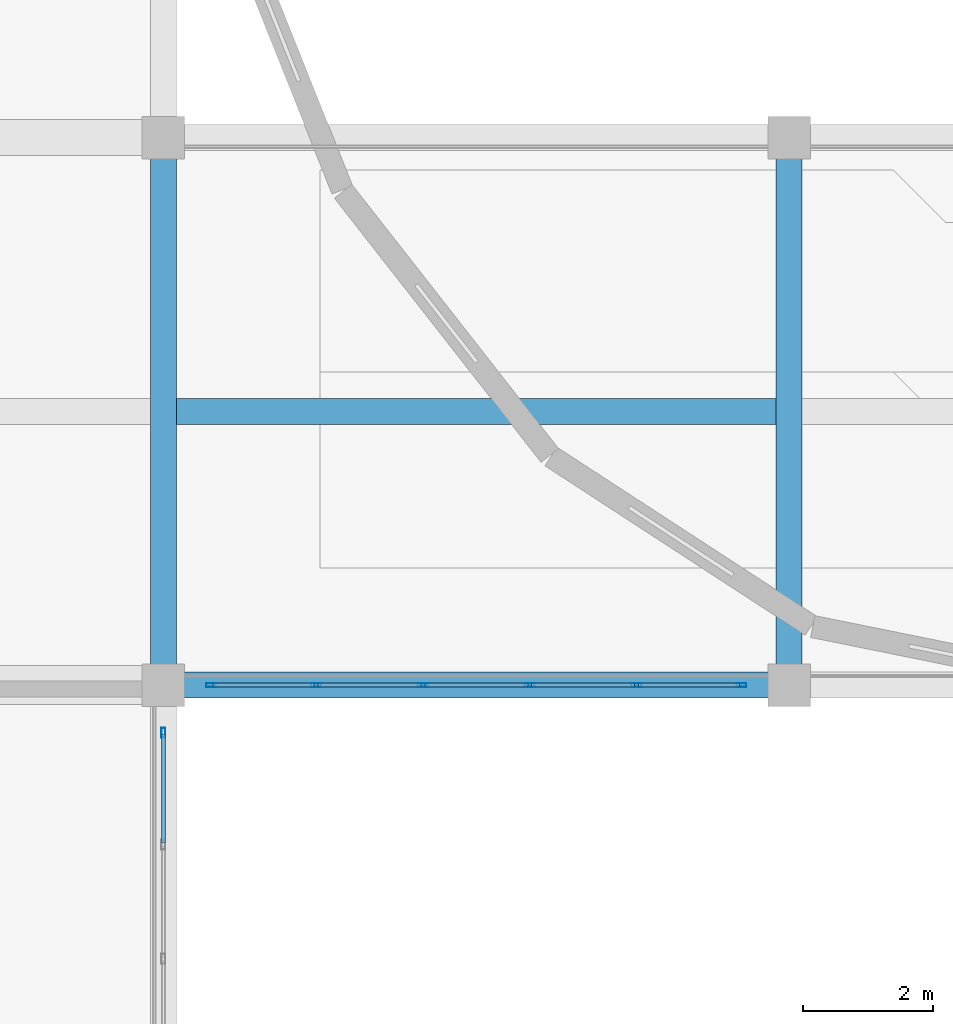
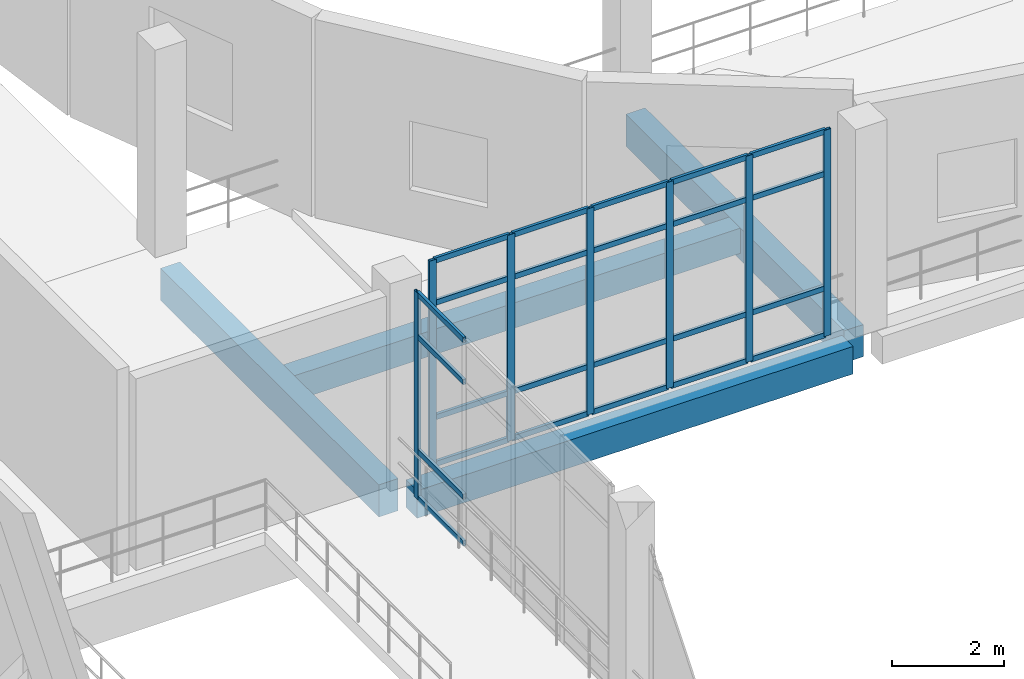
# One storey, part 34 of 88: 31 members, 4 beams, 2 elements without a shape of their own.
"""IFC4 building model written with IfcOpenShell, lengths in metres."""

from ifc_helpers import new_model, si_unit, direction, frame, origin, origin_2d, place, context, subcontext, project, spatial, rectangle, hollow_rectangle, extrude, material, layer, layer_set, material_profile, profile_set, type_object, element, aggregate, save


model = new_model("IFC4")

# Units and contexts
model_context = context("Model", 3, precision=1e-05, world=origin(), true_north=direction((0.0, 1.0)))
body_context = subcontext(model_context, "Body", "Model", "MODEL_VIEW")
ifc_project = project(units=[si_unit("LENGTHUNIT", "METRE"), si_unit("AREAUNIT", "SQUARE_METRE"), si_unit("VOLUMEUNIT", "CUBIC_METRE"), si_unit("PLANEANGLEUNIT", "RADIAN"), si_unit("MASSUNIT", "GRAM", prefix="KILO")], contexts=[model_context])

# Site, building, storey
site_placement = place(None, origin())
site = spatial("IfcSite", under=ifc_project, at=site_placement, CompositionType="ELEMENT")
building_placement = place(site_placement, origin())
building = spatial("IfcBuilding", under=site, at=building_placement, Name="Lornevale Opera House", CompositionType="ELEMENT")
storey_placement = place(building_placement, frame((0.0, 0.0, 10.199951171875)))
storey = spatial("IfcBuildingStorey", under=building, at=storey_placement, Name="L03", CompositionType="ELEMENT", Elevation=10.199951171875)

# Beams
ifc_material_1 = material(Name="Concrete 35 MPa (CSA A23.1 N)", Category="concrete")
ifc_material_profile_1 = material_profile(ifc_material_1, rectangle(XDim=0.39990234375, YDim=0.550048828125, at=origin_2d()), Name="RC400x550")
ifc_profile_set_1 = profile_set([ifc_material_profile_1], Name="Concrete 35 MPa (CSA A23.1 N)")
beam_type_1 = type_object("IfcBeamType", Name="Auditorium Tier Raker Beam 400x550", PredefinedType="JOIST", material=ifc_profile_set_1)
beam_1_placement = place(storey_placement, frame((67.39990234375, 37.800048828125, -0.554931640625), z_axis=(1.0, 0.0, 0.0), x_axis=(0.0, 1.0, 0.0)))
element("IfcBeam", 1, at=beam_1_placement, inside=storey, type_object=beam_type_1, Name="Auditorium Tier Raker Beam 400x550 2412", PredefinedType="JOIST", context=body_context, shape_type="SweptSolid", body=[
    extrude(rectangle(XDim=0.39990234375, YDim=0.550048828125, at=origin_2d()), origin(), (0.0, 0.0, 1.0), 9.2001953125),
])
ifc_material_profile_2 = material_profile(ifc_material_1, rectangle(XDim=0.39990234375, YDim=0.699951171875, at=origin_2d()), Name="RC400x700")
ifc_profile_set_2 = profile_set([ifc_material_profile_2], Name="Concrete 35 MPa (CSA A23.1 N)")
beam_type_2 = type_object("IfcBeamType", Name="Concrete Floor Beam 400x700", PredefinedType="USERDEFINED", material=ifc_profile_set_2)
for number, where, z_axis, x_axis, name in (
    (2, (67.199951171875, 33.89990234375, -0.6298828125), (0.0, 1.0, 0.0), (-1.0, 0.0, 0.0), "Concrete Floor Beam 400x700 2290"),
    (3, (76.800048828125, 33.89990234375, -0.6298828125), (0.0, 1.0, 0.0), (-1.0, 0.0, 0.0), "Concrete Floor Beam 400x700 2298"),
):
    element("IfcBeam", number, at=place(storey_placement, frame(where, z_axis=z_axis, x_axis=x_axis)), inside=storey, type_object=beam_type_2, Name=name, ObjectType="GIRDER", PredefinedType="USERDEFINED", context=body_context, shape_type="SweptSolid", body=[
        extrude(rectangle(XDim=0.39990234375, YDim=0.699951171875, at=origin_2d()), origin(), (0.0, 0.0, 1.0), 7.800048828125),
    ])
ifc_material_profile_3 = material_profile(ifc_material_1, rectangle(XDim=0.39990234375, YDim=0.60009765625, at=origin_2d()), Name="RC400x600")
ifc_profile_set_3 = profile_set([ifc_material_profile_3], Name="Concrete 35 MPa (CSA A23.1 N)")
beam_type_3 = type_object("IfcBeamType", Name="Concrete Spandrel Beam 400x600", PredefinedType="SPANDREL", material=ifc_profile_set_3)
beam_2_placement = place(storey_placement, frame((67.5, 33.60009765625, -0.579833984375), z_axis=(1.0, 0.0, 0.0), x_axis=(0.0, 1.0, 0.0)))
element("IfcBeam", 4, at=beam_2_placement, inside=storey, type_object=beam_type_3, Name="Concrete Spandrel Beam 400x600 2121", PredefinedType="SPANDREL", context=body_context, shape_type="SweptSolid", body=[
    extrude(rectangle(XDim=0.39990234375, YDim=0.60009765625, at=origin_2d()), origin(), (0.0, 0.0, 1.0), 9.0),
])

# Curtain wall, member
ifc_material_2 = material(Name="Anodized Oxide-Green Aluminium Framing", Category="aluminium")
ifc_layer = layer(ifc_material_2, 0.14990234375)
ifc_layer_set = layer_set([ifc_layer], Name="Anodized Oxide-Green Aluminium Framing")
curtain_wall_type = type_object("IfcCurtainWallType", Name="North-Light Clerestory Curtain Wall M1600", PredefinedType="NOTDEFINED", material=ifc_layer_set)
curtain_wall_1_placement = place(storey_placement, origin())
curtain_wall_1 = element("IfcCurtainWall", 5, at=curtain_wall_1_placement, inside=storey, type_object=curtain_wall_type, Name="North-Light Clerestory Curtain Wall M1600 CW-178", PredefinedType="NOTDEFINED")
ifc_material_profile_4 = material_profile(ifc_material_2, hollow_rectangle(XDim=0.06005859375, YDim=0.14990234375, WallThickness=0.00390625, at=origin_2d()), Name="ALU60x150x4")
ifc_profile_set_4 = profile_set([ifc_material_profile_4], Name="Anodized Oxide-Green Aluminium Framing")
member_type_1 = type_object("IfcMemberType", Name="Curtain Wall Mullion 60x150", PredefinedType="MULLION", material=ifc_profile_set_4)
member_1_placement = place(storey_placement, frame((67.199951171875, 32.8701171875, 0.0), z_axis=(0.0, 0.0, 1.0), x_axis=(-1.0, 0.0, 0.0)))
member_1 = element("IfcMember", 6, at=member_1_placement, type_object=member_type_1, Name="Curtain Wall Mullion 60x150 CW3710", PredefinedType="MULLION", context=body_context, shape_type="SweptSolid", body=[
    extrude(hollow_rectangle(XDim=0.06005859375, YDim=0.14990234375, WallThickness=0.00390625, at=origin_2d()), origin(), (0.0, 0.0, 1.0), 4.5),
])

# Curtain wall, members
curtain_wall_2_placement = place(storey_placement, origin())
curtain_wall_2 = element("IfcCurtainWall", 7, at=curtain_wall_2_placement, inside=storey, type_object=curtain_wall_type, Name="North-Light Clerestory Curtain Wall M1600 CW-181", PredefinedType="NOTDEFINED")
member_2_placement = place(storey_placement, frame((67.929931640625, 33.60009765625, 0.0), z_axis=(0.0, 0.0, 1.0), x_axis=(0.0, 1.0, 0.0)))
member_2 = element("IfcMember", 8, at=member_2_placement, type_object=member_type_1, Name="Curtain Wall Mullion 60x150 CW3805", PredefinedType="MULLION", context=body_context, shape_type="SweptSolid", body=[
    extrude(hollow_rectangle(XDim=0.06005859375, YDim=0.14990234375, WallThickness=0.00390625, at=origin_2d()), origin(), (0.0, 0.0, 1.0), 4.5),
])
member_3_placement = place(storey_placement, frame((69.5400390625, 33.60009765625, 0.0), z_axis=(0.0, 0.0, 1.0), x_axis=(0.0, 1.0, 0.0)))
member_3 = element("IfcMember", 9, at=member_3_placement, type_object=member_type_1, Name="Curtain Wall Mullion 60x150 CW3806", PredefinedType="MULLION", context=body_context, shape_type="SweptSolid", body=[
    extrude(hollow_rectangle(XDim=0.06005859375, YDim=0.14990234375, WallThickness=0.00390625, at=origin_2d()), origin(), (0.0, 0.0, 1.0), 4.5),
])
member_4_placement = place(storey_placement, frame((71.179931640625, 33.60009765625, 0.0), z_axis=(0.0, 0.0, 1.0), x_axis=(0.0, 1.0, 0.0)))
member_4 = element("IfcMember", 10, at=member_4_placement, type_object=member_type_1, Name="Curtain Wall Mullion 60x150 CW3807", PredefinedType="MULLION", context=body_context, shape_type="SweptSolid", body=[
    extrude(hollow_rectangle(XDim=0.06005859375, YDim=0.14990234375, WallThickness=0.00390625, at=origin_2d()), origin(), (0.0, 0.0, 1.0), 4.5),
])
member_5_placement = place(storey_placement, frame((72.820068359375, 33.60009765625, 0.0), z_axis=(0.0, 0.0, 1.0), x_axis=(0.0, 1.0, 0.0)))
member_5 = element("IfcMember", 11, at=member_5_placement, type_object=member_type_1, Name="Curtain Wall Mullion 60x150 CW3808", PredefinedType="MULLION", context=body_context, shape_type="SweptSolid", body=[
    extrude(hollow_rectangle(XDim=0.06005859375, YDim=0.14990234375, WallThickness=0.00390625, at=origin_2d()), origin(), (0.0, 0.0, 1.0), 4.5),
])
member_6_placement = place(storey_placement, frame((74.4599609375, 33.60009765625, 0.0), z_axis=(0.0, 0.0, 1.0), x_axis=(0.0, 1.0, 0.0)))
member_6 = element("IfcMember", 12, at=member_6_placement, type_object=member_type_1, Name="Curtain Wall Mullion 60x150 CW3809", PredefinedType="MULLION", context=body_context, shape_type="SweptSolid", body=[
    extrude(hollow_rectangle(XDim=0.06005859375, YDim=0.14990234375, WallThickness=0.00390625, at=origin_2d()), origin(), (0.0, 0.0, 1.0), 4.5),
])
member_7_placement = place(storey_placement, frame((76.070068359375, 33.60009765625, 0.0), z_axis=(0.0, 0.0, 1.0), x_axis=(0.0, 1.0, 0.0)))
member_7 = element("IfcMember", 13, at=member_7_placement, type_object=member_type_1, Name="Curtain Wall Mullion 60x150 CW3810", PredefinedType="MULLION", context=body_context, shape_type="SweptSolid", body=[
    extrude(hollow_rectangle(XDim=0.06005859375, YDim=0.14990234375, WallThickness=0.00390625, at=origin_2d()), origin(), (0.0, 0.0, 1.0), 4.5),
])

# Member
ifc_material_profile_5 = material_profile(ifc_material_2, hollow_rectangle(XDim=0.06005859375, YDim=0.114990234375, WallThickness=0.00390625, at=origin_2d()), Name="ALU60x115x4")
ifc_profile_set_5 = profile_set([ifc_material_profile_5], Name="Anodized Oxide-Green Aluminium Framing")
member_type_2 = type_object("IfcMemberType", Name="Curtain Wall Transom 60x115", PredefinedType="USERDEFINED", material=ifc_profile_set_5)
member_8_placement = place(storey_placement, frame((67.199951171875, 31.179931640625, 0.030029296875), z_axis=(0.0, 1.0, 0.0), x_axis=(-1.0, 0.0, 0.0)))
member_8 = element("IfcMember", 14, at=member_8_placement, type_object=member_type_2, Name="Curtain Wall Transom 60x115 CW3732", ObjectType="TRANSOM", PredefinedType="USERDEFINED", context=body_context, shape_type="SweptSolid", body=[
    extrude(hollow_rectangle(XDim=0.06005859375, YDim=0.114990234375, WallThickness=0.00390625, at=origin_2d()), origin(), (0.0, 0.0, 1.0), 1.66015625),
])

member_9_placement = place(storey_placement, frame((67.199951171875, 31.179931640625, 1.050048828125), z_axis=(0.0, 1.0, 0.0), x_axis=(-1.0, 0.0, 0.0)))
member_9 = element("IfcMember", 15, at=member_9_placement, type_object=member_type_2, Name="Curtain Wall Transom 60x115 CW3733", ObjectType="TRANSOM", PredefinedType="USERDEFINED", context=body_context, shape_type="SweptSolid", body=[
    extrude(hollow_rectangle(XDim=0.06005859375, YDim=0.114990234375, WallThickness=0.00390625, at=origin_2d()), origin(), (0.0, 0.0, 1.0), 1.66015625),
])

member_10_placement = place(storey_placement, frame((67.199951171875, 31.179931640625, 3.550048828125), z_axis=(0.0, 1.0, 0.0), x_axis=(-1.0, 0.0, 0.0)))
member_10 = element("IfcMember", 16, at=member_10_placement, type_object=member_type_2, Name="Curtain Wall Transom 60x115 CW3734", ObjectType="TRANSOM", PredefinedType="USERDEFINED", context=body_context, shape_type="SweptSolid", body=[
    extrude(hollow_rectangle(XDim=0.06005859375, YDim=0.114990234375, WallThickness=0.00390625, at=origin_2d()), origin(), (0.0, 0.0, 1.0), 1.66015625),
])

member_11_placement = place(storey_placement, frame((67.199951171875, 31.179931640625, 4.469970703125), z_axis=(0.0, 1.0, 0.0), x_axis=(-1.0, 0.0, 0.0)))
member_11 = element("IfcMember", 17, at=member_11_placement, type_object=member_type_2, Name="Curtain Wall Transom 60x115 CW3735", ObjectType="TRANSOM", PredefinedType="USERDEFINED", context=body_context, shape_type="SweptSolid", body=[
    extrude(hollow_rectangle(XDim=0.06005859375, YDim=0.114990234375, WallThickness=0.00390625, at=origin_2d()), origin(), (0.0, 0.0, 1.0), 1.66015625),
])

aggregate(curtain_wall_1, [member_1, member_8, member_9, member_10, member_11])

member_12_placement = place(storey_placement, frame((67.9599609375, 33.60009765625, 0.030029296875), z_axis=(1.0, 0.0, 0.0), x_axis=(0.0, 1.0, 0.0)))
member_12 = element("IfcMember", 18, at=member_12_placement, type_object=member_type_2, Name="Curtain Wall Transom 60x115 CW3811", ObjectType="TRANSOM", PredefinedType="USERDEFINED", context=body_context, shape_type="SweptSolid", body=[
    extrude(hollow_rectangle(XDim=0.06005859375, YDim=0.114990234375, WallThickness=0.00390625, at=origin_2d()), origin(), (0.0, 0.0, 1.0), 1.550048828125),
])

member_13_placement = place(storey_placement, frame((67.9599609375, 33.60009765625, 1.050048828125), z_axis=(1.0, 0.0, 0.0), x_axis=(0.0, 1.0, 0.0)))
member_13 = element("IfcMember", 19, at=member_13_placement, type_object=member_type_2, Name="Curtain Wall Transom 60x115 CW3812", ObjectType="TRANSOM", PredefinedType="USERDEFINED", context=body_context, shape_type="SweptSolid", body=[
    extrude(hollow_rectangle(XDim=0.06005859375, YDim=0.114990234375, WallThickness=0.00390625, at=origin_2d()), origin(), (0.0, 0.0, 1.0), 1.550048828125),
])

member_14_placement = place(storey_placement, frame((67.9599609375, 33.60009765625, 3.550048828125), z_axis=(1.0, 0.0, 0.0), x_axis=(0.0, 1.0, 0.0)))
member_14 = element("IfcMember", 20, at=member_14_placement, type_object=member_type_2, Name="Curtain Wall Transom 60x115 CW3813", ObjectType="TRANSOM", PredefinedType="USERDEFINED", context=body_context, shape_type="SweptSolid", body=[
    extrude(hollow_rectangle(XDim=0.06005859375, YDim=0.114990234375, WallThickness=0.00390625, at=origin_2d()), origin(), (0.0, 0.0, 1.0), 1.550048828125),
])

member_15_placement = place(storey_placement, frame((67.9599609375, 33.60009765625, 4.469970703125), z_axis=(1.0, 0.0, 0.0), x_axis=(0.0, 1.0, 0.0)))
member_15 = element("IfcMember", 21, at=member_15_placement, type_object=member_type_2, Name="Curtain Wall Transom 60x115 CW3814", ObjectType="TRANSOM", PredefinedType="USERDEFINED", context=body_context, shape_type="SweptSolid", body=[
    extrude(hollow_rectangle(XDim=0.06005859375, YDim=0.114990234375, WallThickness=0.00390625, at=origin_2d()), origin(), (0.0, 0.0, 1.0), 1.550048828125),
])

member_16_placement = place(storey_placement, frame((69.570068359375, 33.60009765625, 0.030029296875), z_axis=(1.0, 0.0, 0.0), x_axis=(0.0, 1.0, 0.0)))
member_16 = element("IfcMember", 22, at=member_16_placement, type_object=member_type_2, Name="Curtain Wall Transom 60x115 CW3818", ObjectType="TRANSOM", PredefinedType="USERDEFINED", context=body_context, shape_type="SweptSolid", body=[
    extrude(hollow_rectangle(XDim=0.06005859375, YDim=0.114990234375, WallThickness=0.00390625, at=origin_2d()), origin(), (0.0, 0.0, 1.0), 1.579833984375),
])

member_17_placement = place(storey_placement, frame((69.570068359375, 33.60009765625, 1.050048828125), z_axis=(1.0, 0.0, 0.0), x_axis=(0.0, 1.0, 0.0)))
member_17 = element("IfcMember", 23, at=member_17_placement, type_object=member_type_2, Name="Curtain Wall Transom 60x115 CW3819", ObjectType="TRANSOM", PredefinedType="USERDEFINED", context=body_context, shape_type="SweptSolid", body=[
    extrude(hollow_rectangle(XDim=0.06005859375, YDim=0.114990234375, WallThickness=0.00390625, at=origin_2d()), origin(), (0.0, 0.0, 1.0), 1.579833984375),
])

member_18_placement = place(storey_placement, frame((69.570068359375, 33.60009765625, 3.550048828125), z_axis=(1.0, 0.0, 0.0), x_axis=(0.0, 1.0, 0.0)))
member_18 = element("IfcMember", 24, at=member_18_placement, type_object=member_type_2, Name="Curtain Wall Transom 60x115 CW3820", ObjectType="TRANSOM", PredefinedType="USERDEFINED", context=body_context, shape_type="SweptSolid", body=[
    extrude(hollow_rectangle(XDim=0.06005859375, YDim=0.114990234375, WallThickness=0.00390625, at=origin_2d()), origin(), (0.0, 0.0, 1.0), 1.579833984375),
])

member_19_placement = place(storey_placement, frame((69.570068359375, 33.60009765625, 4.469970703125), z_axis=(1.0, 0.0, 0.0), x_axis=(0.0, 1.0, 0.0)))
member_19 = element("IfcMember", 25, at=member_19_placement, type_object=member_type_2, Name="Curtain Wall Transom 60x115 CW3821", ObjectType="TRANSOM", PredefinedType="USERDEFINED", context=body_context, shape_type="SweptSolid", body=[
    extrude(hollow_rectangle(XDim=0.06005859375, YDim=0.114990234375, WallThickness=0.00390625, at=origin_2d()), origin(), (0.0, 0.0, 1.0), 1.579833984375),
])

member_20_placement = place(storey_placement, frame((71.2099609375, 33.60009765625, 0.030029296875), z_axis=(1.0, 0.0, 0.0), x_axis=(0.0, 1.0, 0.0)))
member_20 = element("IfcMember", 26, at=member_20_placement, type_object=member_type_2, Name="Curtain Wall Transom 60x115 CW3825", ObjectType="TRANSOM", PredefinedType="USERDEFINED", context=body_context, shape_type="SweptSolid", body=[
    extrude(hollow_rectangle(XDim=0.06005859375, YDim=0.114990234375, WallThickness=0.00390625, at=origin_2d()), origin(), (0.0, 0.0, 1.0), 1.580078125),
])

member_21_placement = place(storey_placement, frame((71.2099609375, 33.60009765625, 1.050048828125), z_axis=(1.0, 0.0, 0.0), x_axis=(0.0, 1.0, 0.0)))
member_21 = element("IfcMember", 27, at=member_21_placement, type_object=member_type_2, Name="Curtain Wall Transom 60x115 CW3826", ObjectType="TRANSOM", PredefinedType="USERDEFINED", context=body_context, shape_type="SweptSolid", body=[
    extrude(hollow_rectangle(XDim=0.06005859375, YDim=0.114990234375, WallThickness=0.00390625, at=origin_2d()), origin(), (0.0, 0.0, 1.0), 1.580078125),
])

member_22_placement = place(storey_placement, frame((71.2099609375, 33.60009765625, 3.550048828125), z_axis=(1.0, 0.0, 0.0), x_axis=(0.0, 1.0, 0.0)))
member_22 = element("IfcMember", 28, at=member_22_placement, type_object=member_type_2, Name="Curtain Wall Transom 60x115 CW3827", ObjectType="TRANSOM", PredefinedType="USERDEFINED", context=body_context, shape_type="SweptSolid", body=[
    extrude(hollow_rectangle(XDim=0.06005859375, YDim=0.114990234375, WallThickness=0.00390625, at=origin_2d()), origin(), (0.0, 0.0, 1.0), 1.580078125),
])

member_23_placement = place(storey_placement, frame((71.2099609375, 33.60009765625, 4.469970703125), z_axis=(1.0, 0.0, 0.0), x_axis=(0.0, 1.0, 0.0)))
member_23 = element("IfcMember", 29, at=member_23_placement, type_object=member_type_2, Name="Curtain Wall Transom 60x115 CW3828", ObjectType="TRANSOM", PredefinedType="USERDEFINED", context=body_context, shape_type="SweptSolid", body=[
    extrude(hollow_rectangle(XDim=0.06005859375, YDim=0.114990234375, WallThickness=0.00390625, at=origin_2d()), origin(), (0.0, 0.0, 1.0), 1.580078125),
])

member_24_placement = place(storey_placement, frame((72.85009765625, 33.60009765625, 0.030029296875), z_axis=(1.0, 0.0, 0.0), x_axis=(0.0, 1.0, 0.0)))
member_24 = element("IfcMember", 30, at=member_24_placement, type_object=member_type_2, Name="Curtain Wall Transom 60x115 CW3832", ObjectType="TRANSOM", PredefinedType="USERDEFINED", context=body_context, shape_type="SweptSolid", body=[
    extrude(hollow_rectangle(XDim=0.06005859375, YDim=0.114990234375, WallThickness=0.00390625, at=origin_2d()), origin(), (0.0, 0.0, 1.0), 1.579833984375),
])

member_25_placement = place(storey_placement, frame((72.85009765625, 33.60009765625, 1.050048828125), z_axis=(1.0, 0.0, 0.0), x_axis=(0.0, 1.0, 0.0)))
member_25 = element("IfcMember", 31, at=member_25_placement, type_object=member_type_2, Name="Curtain Wall Transom 60x115 CW3833", ObjectType="TRANSOM", PredefinedType="USERDEFINED", context=body_context, shape_type="SweptSolid", body=[
    extrude(hollow_rectangle(XDim=0.06005859375, YDim=0.114990234375, WallThickness=0.00390625, at=origin_2d()), origin(), (0.0, 0.0, 1.0), 1.579833984375),
])

member_26_placement = place(storey_placement, frame((72.85009765625, 33.60009765625, 3.550048828125), z_axis=(1.0, 0.0, 0.0), x_axis=(0.0, 1.0, 0.0)))
member_26 = element("IfcMember", 32, at=member_26_placement, type_object=member_type_2, Name="Curtain Wall Transom 60x115 CW3834", ObjectType="TRANSOM", PredefinedType="USERDEFINED", context=body_context, shape_type="SweptSolid", body=[
    extrude(hollow_rectangle(XDim=0.06005859375, YDim=0.114990234375, WallThickness=0.00390625, at=origin_2d()), origin(), (0.0, 0.0, 1.0), 1.579833984375),
])

member_27_placement = place(storey_placement, frame((72.85009765625, 33.60009765625, 4.469970703125), z_axis=(1.0, 0.0, 0.0), x_axis=(0.0, 1.0, 0.0)))
member_27 = element("IfcMember", 33, at=member_27_placement, type_object=member_type_2, Name="Curtain Wall Transom 60x115 CW3835", ObjectType="TRANSOM", PredefinedType="USERDEFINED", context=body_context, shape_type="SweptSolid", body=[
    extrude(hollow_rectangle(XDim=0.06005859375, YDim=0.114990234375, WallThickness=0.00390625, at=origin_2d()), origin(), (0.0, 0.0, 1.0), 1.579833984375),
])

member_28_placement = place(storey_placement, frame((74.489990234375, 33.60009765625, 0.030029296875), z_axis=(1.0, 0.0, 0.0), x_axis=(0.0, 1.0, 0.0)))
member_28 = element("IfcMember", 34, at=member_28_placement, type_object=member_type_2, Name="Curtain Wall Transom 60x115 CW3839", ObjectType="TRANSOM", PredefinedType="USERDEFINED", context=body_context, shape_type="SweptSolid", body=[
    extrude(hollow_rectangle(XDim=0.06005859375, YDim=0.114990234375, WallThickness=0.00390625, at=origin_2d()), origin(), (0.0, 0.0, 1.0), 1.550048828125),
])

member_29_placement = place(storey_placement, frame((74.489990234375, 33.60009765625, 1.050048828125), z_axis=(1.0, 0.0, 0.0), x_axis=(0.0, 1.0, 0.0)))
member_29 = element("IfcMember", 35, at=member_29_placement, type_object=member_type_2, Name="Curtain Wall Transom 60x115 CW3840", ObjectType="TRANSOM", PredefinedType="USERDEFINED", context=body_context, shape_type="SweptSolid", body=[
    extrude(hollow_rectangle(XDim=0.06005859375, YDim=0.114990234375, WallThickness=0.00390625, at=origin_2d()), origin(), (0.0, 0.0, 1.0), 1.550048828125),
])

member_30_placement = place(storey_placement, frame((74.489990234375, 33.60009765625, 3.550048828125), z_axis=(1.0, 0.0, 0.0), x_axis=(0.0, 1.0, 0.0)))
member_30 = element("IfcMember", 36, at=member_30_placement, type_object=member_type_2, Name="Curtain Wall Transom 60x115 CW3841", ObjectType="TRANSOM", PredefinedType="USERDEFINED", context=body_context, shape_type="SweptSolid", body=[
    extrude(hollow_rectangle(XDim=0.06005859375, YDim=0.114990234375, WallThickness=0.00390625, at=origin_2d()), origin(), (0.0, 0.0, 1.0), 1.550048828125),
])

member_31_placement = place(storey_placement, frame((74.489990234375, 33.60009765625, 4.469970703125), z_axis=(1.0, 0.0, 0.0), x_axis=(0.0, 1.0, 0.0)))
member_31 = element("IfcMember", 37, at=member_31_placement, type_object=member_type_2, Name="Curtain Wall Transom 60x115 CW3842", ObjectType="TRANSOM", PredefinedType="USERDEFINED", context=body_context, shape_type="SweptSolid", body=[
    extrude(hollow_rectangle(XDim=0.06005859375, YDim=0.114990234375, WallThickness=0.00390625, at=origin_2d()), origin(), (0.0, 0.0, 1.0), 1.550048828125),
])

aggregate(curtain_wall_2, [member_2, member_3, member_4, member_5, member_6, member_7, member_12, member_13, member_14, member_15, member_16, member_17, member_18, member_19, member_20, member_21, member_22, member_23, member_24, member_25, member_26, member_27, member_28, member_29, member_30, member_31])

save(model, "model.ifc")
